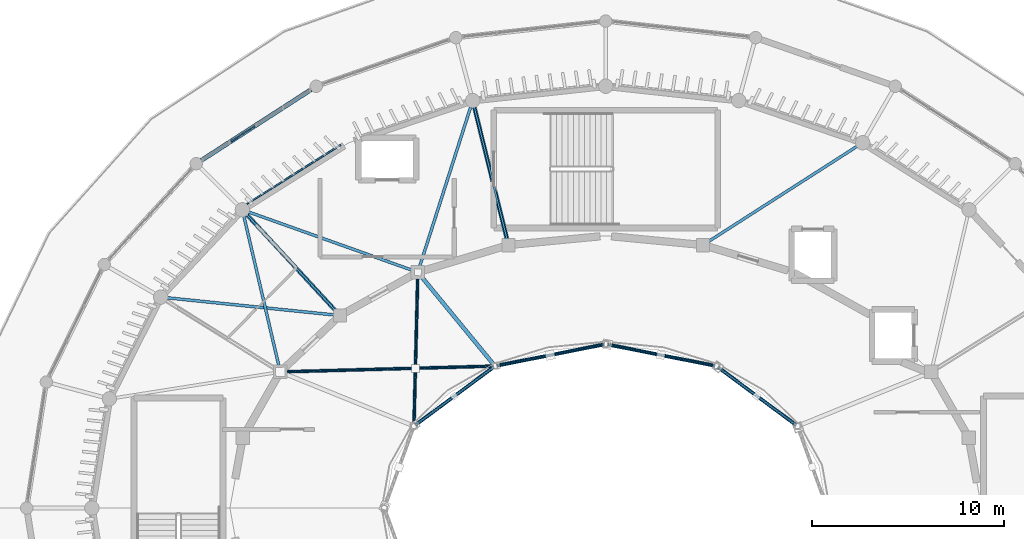
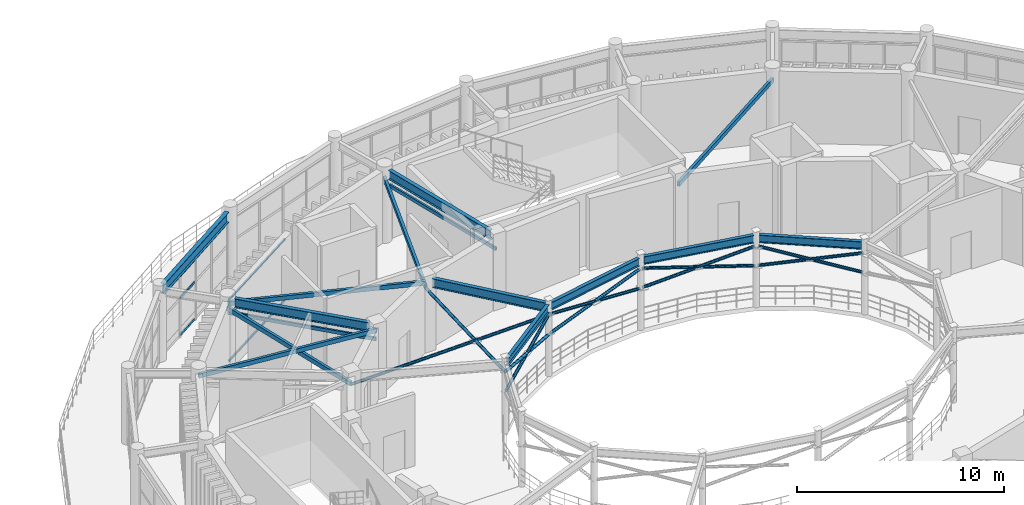
# One storey, part 12 of 45: 27 members, 8 beams, 1 element without a shape of its own.
"""IFC4 building model written with IfcOpenShell, lengths in metres."""

from ifc_helpers import new_model, si_unit, direction, frame, origin, origin_2d, place, context, subcontext, project, spatial, rectangle, hollow_rectangle, hollow_circle, i_section, extrude, material, material_profile, profile_set, type_object, element, aggregate, save


model = new_model("IFC4")

# Units and contexts
model_context = context("Model", 3, precision=1e-05, world=origin(), true_north=direction((0.0, 1.0)))
body_context = subcontext(model_context, "Body", "Model", "MODEL_VIEW")
ifc_project = project(units=[si_unit("LENGTHUNIT", "METRE"), si_unit("AREAUNIT", "SQUARE_METRE"), si_unit("VOLUMEUNIT", "CUBIC_METRE"), si_unit("PLANEANGLEUNIT", "RADIAN"), si_unit("MASSUNIT", "GRAM", prefix="KILO")], contexts=[model_context])

# Site, building, storey
site_placement = place(None, origin())
site = spatial("IfcSite", under=ifc_project, at=site_placement, CompositionType="ELEMENT")
building_placement = place(site_placement, origin())
building = spatial("IfcBuilding", under=site, at=building_placement, Name="Cinderbank Siding Concert Hall", CompositionType="ELEMENT")
storey_placement = place(building_placement, frame((0.0, 0.0, 19.199951171875)))
storey = spatial("IfcBuildingStorey", under=building, at=storey_placement, Name="L05", CompositionType="ELEMENT", Elevation=19.199951171875)

# Beams
ifc_material_1 = material(Name="Structural steel AS/NZS 3679.1 Grade 350 (340 MPa)", Category="steel")
ifc_material_profile_1 = material_profile(ifc_material_1, i_section(OverallWidth=0.18994140625, OverallDepth=0.45751953125, WebThickness=0.009033203125, FlangeThickness=0.014404296875, at=origin_2d()), Name="460UB74.6", Category="LoadBearing")
ifc_profile_set_1 = profile_set([ifc_material_profile_1], Name="Structural steel AS/NZS 3679.1 Grade 350 (340 MPa)")
beam_type_1 = type_object("IfcBeamType", Name="BM-UB460 460UB74.6", PredefinedType="BEAM", material=ifc_profile_set_1)
beam_1_placement = place(storey_placement, frame((131.87890625, 48.36669921875, 4.0234375), z_axis=(-0.803752781555, 0.594963415801, 0.0), x_axis=(-0.594963415801, -0.803752781555, 0.0)))
element("IfcBeam", 1, at=beam_1_placement, inside=storey, type_object=beam_type_1, Name="L05 Beam BM-UB460 #209", PredefinedType="BEAM", context=body_context, shape_type="SweptSolid", body=[
    extrude(i_section(OverallWidth=0.18994140625, OverallDepth=0.45751953125, WebThickness=0.009033203125, FlangeThickness=0.014404296875, at=origin_2d()), origin(), (0.0, 0.0, 1.0), 4.9521484375),
])
for number, where, z_axis, x_axis, name in (
    (2, (127.6240234375, 51.4345703125, 4.0234375), (-0.980895780778, 0.194533974545, 0.0), (-0.194533974545, -0.980895780778, 0.0), "L05 Beam BM-UB460 #211"),
    (3, (121.84912109375, 52.52001953125, 4.0234375), (-0.980895780778, -0.194533974545, 0.0), (0.194533974545, -0.980895780778, 0.0), "L05 Beam BM-UB460 #212"),
):
    element("IfcBeam", number, at=place(storey_placement, frame(where, z_axis=z_axis, x_axis=x_axis)), inside=storey, type_object=beam_type_1, Name=name, PredefinedType="BEAM", context=body_context, shape_type="SweptSolid", body=[
        extrude(i_section(OverallWidth=0.18994140625, OverallDepth=0.45751953125, WebThickness=0.009033203125, FlangeThickness=0.014404296875, at=origin_2d()), origin(), (0.0, 0.0, 1.0), 5.579833984375),
    ])
beam_2_placement = place(storey_placement, frame((116.101318359375, 51.31298828125, 4.0234375), z_axis=(-0.803752781555, -0.594963415801, 0.0), x_axis=(0.594963415801, -0.803752781555, 0.0)))
element("IfcBeam", 4, at=beam_2_placement, inside=storey, type_object=beam_type_1, Name="L05 Beam BM-UB460 #213", PredefinedType="BEAM", context=body_context, shape_type="SweptSolid", body=[
    extrude(i_section(OverallWidth=0.18994140625, OverallDepth=0.45751953125, WebThickness=0.009033203125, FlangeThickness=0.014404296875, at=origin_2d()), origin(), (0.0, 0.0, 1.0), 4.9521484375),
])
ifc_material_profile_2 = material_profile(ifc_material_1, i_section(OverallWidth=0.208984375, OverallDepth=0.5283203125, WebThickness=0.009521484375, FlangeThickness=0.01318359375, at=origin_2d()), Name="530UB82.0", Category="LoadBearing")
ifc_profile_set_2 = profile_set([ifc_material_profile_2], Name="Structural steel AS/NZS 3679.1 Grade 350 (340 MPa)")
beam_type_2 = type_object("IfcBeamType", Name="BM-UB530 530UB82.0", PredefinedType="BEAM", material=ifc_profile_set_2)
beam_3_placement = place(storey_placement, frame((116.127197265625, 51.5234375, 3.988037109375), z_axis=(-0.635282201884, 0.772280081298, 0.0), x_axis=(-0.772280081298, -0.635282201884, 0.0)))
element("IfcBeam", 5, at=beam_3_placement, inside=storey, type_object=beam_type_2, Name="L05 Beam BM-UB530 #214", PredefinedType="BEAM", context=body_context, shape_type="SweptSolid", body=[
    extrude(i_section(OverallWidth=0.208984375, OverallDepth=0.5283203125, WebThickness=0.009521484375, FlangeThickness=0.01318359375, at=origin_2d()), origin(), (0.0, 0.0, 1.0), 5.83984375),
])
ifc_material_profile_3 = material_profile(ifc_material_1, i_section(OverallWidth=0.208984375, OverallDepth=0.532958984375, WebThickness=0.01025390625, FlangeThickness=0.015625, at=origin_2d()), Name="530UB92.4", Category="LoadBearing")
ifc_profile_set_3 = profile_set([ifc_material_profile_3], Name="Structural steel AS/NZS 3679.1 Grade 350 (340 MPa)")
beam_type_3 = type_object("IfcBeamType", Name="BM-UB530H 530UB92.4", PredefinedType="BEAM", material=ifc_profile_set_3)
beam_4_placement = place(storey_placement, frame((116.844970703125, 58.048095703125, 4.015625), z_axis=(-0.240115631411, 0.970744293598, 0.0), x_axis=(-0.970744293598, -0.240115631411, 0.0)))
element("IfcBeam", 6, at=beam_4_placement, inside=storey, type_object=beam_type_3, Name="L05 Beam BM-UB530H #784", PredefinedType="BEAM", context=body_context, shape_type="SweptSolid", body=[
    extrude(i_section(OverallWidth=0.208984375, OverallDepth=0.532958984375, WebThickness=0.01025390625, FlangeThickness=0.015625, at=origin_2d()), origin(), (0.0, 0.0, 1.0), 7.05224609375),
])
beam_5_placement = place(storey_placement, frame((107.90869140625, 54.292236328125, 4.015625), z_axis=(-0.67829203735, 0.734792427879, 0.0), x_axis=(-0.734792427879, -0.67829203735, 0.0)))
element("IfcBeam", 7, at=beam_5_placement, inside=storey, type_object=beam_type_3, Name="L05 Beam BM-UB530H #785", PredefinedType="BEAM", context=body_context, shape_type="SweptSolid", body=[
    extrude(i_section(OverallWidth=0.208984375, OverallDepth=0.532958984375, WebThickness=0.01025390625, FlangeThickness=0.015625, at=origin_2d()), origin(), (0.0, 0.0, 1.0), 6.797119140625),
])
ifc_material_profile_4 = material_profile(ifc_material_1, i_section(OverallWidth=0.22802734375, OverallDepth=0.60693359375, WebThickness=0.01123046875, FlangeThickness=0.017333984375, at=origin_2d()), Name="610UB113", Category="LoadBearing")
ifc_profile_set_4 = profile_set([ifc_material_profile_4], Name="Structural steel AS/NZS 3679.1 Grade 350 (340 MPa)")
beam_type_4 = type_object("IfcBeamType", Name="BM-UB610M 610UB113", PredefinedType="BEAM", material=ifc_profile_set_4)
beam_6_placement = place(storey_placement, frame((106.6337890625, 65.8251953125, 3.928466796875), z_axis=(-0.840219727246, -0.542246078775, 0.0), x_axis=(0.542246078775, -0.840219727246, 0.0)))
element("IfcBeam", 8, at=beam_6_placement, inside=storey, type_object=beam_type_4, Name="L05 Beam BM-UB610M #767", PredefinedType="BEAM", context=body_context, shape_type="SweptSolid", body=[
    extrude(i_section(OverallWidth=0.22802734375, OverallDepth=0.60693359375, WebThickness=0.01123046875, FlangeThickness=0.017333984375, at=origin_2d()), origin(), (0.0, 0.0, 1.0), 6.810302734375),
])

# Members
ifc_material_2 = material(Name="Structural steel hollow section AS/NZS 1163 Grade C350L0 (350 MPa)", Category="steel")
ifc_material_profile_5 = material_profile(ifc_material_2, hollow_circle(Radius=0.084228515625, WallThickness=0.007080078125, at=origin_2d()), Name="168.3x7.1CHS", Category="LoadBearing")
ifc_profile_set_5 = profile_set([ifc_material_profile_5], Name="Structural steel hollow section AS/NZS 1163 Grade C350L0 (350 MPa)")
member_type_1 = type_object("IfcMemberType", Name="BR-CHS168 168.3x7.1CHS Roof Truss", PredefinedType="BRACE", material=ifc_profile_set_5)
member_1_placement = place(storey_placement, frame((131.938232421875, 48.322509765625, 2.400146484375), z_axis=(-0.784369910815, 0.580673871078, 0.218132295765), x_axis=(-0.595001989932, -0.803724226322, 0.0)))
element("IfcMember", 9, at=member_1_placement, inside=storey, type_object=member_type_1, Name="L05 Diagonal Brace BR-CHS168 #RKCR-BR-CHS168-L05-2126", PredefinedType="BRACE", context=body_context, shape_type="SweptSolid", body=[
    extrude(hollow_circle(Radius=0.084228515625, WallThickness=0.007080078125, at=origin_2d()), origin(), (0.0, 0.0, 1.0), 5.2255859375),
])
for number, where, z_axis, x_axis, name in (
    (10, (127.83935546875, 51.35693359375, 2.400146484375), (0.784352777564, -0.580699234671, 0.218126383504), (0.595027173666, 0.803705582038, 0.0), "L05 Diagonal Brace BR-CHS168 #RKCR-BR-CHS168-L05-2127"),
    (11, (129.900634765625, 49.8310546875, 2.973388671875), (0.784352777564, -0.580699234671, 0.218126383504), (0.595027173666, 0.803705582038, 0.0), "L05 Diagonal Brace BR-CHS168 #RKCR-BR-CHS168-L05-2127-S217"),
):
    element("IfcMember", number, at=place(storey_placement, frame(where, z_axis=z_axis, x_axis=x_axis)), inside=storey, type_object=member_type_1, Name=name, PredefinedType="BRACE", context=body_context, shape_type="SweptSolid", body=[
        extrude(hollow_circle(Radius=0.084228515625, WallThickness=0.007080078125, at=origin_2d()), origin(), (0.0, 0.0, 1.0), 2.597900390625),
    ])
member_2_placement = place(storey_placement, frame((127.696533203125, 51.420166015625, 2.400146484375), z_axis=(-0.962024071577, 0.190807781612, 0.195197531189), x_axis=(-0.194550158365, -0.980892571019, 0.0)))
element("IfcMember", 12, at=member_2_placement, inside=storey, type_object=member_type_1, Name="L05 Diagonal Brace BR-CHS168 #RKCR-BR-CHS168-L05-2128", PredefinedType="BRACE", context=body_context, shape_type="SweptSolid", body=[
    extrude(hollow_circle(Radius=0.084228515625, WallThickness=0.007080078125, at=origin_2d()), origin(), (0.0, 0.0, 1.0), 5.839599609375),
])
member_3_placement = place(storey_placement, frame((122.07861328125, 52.534423828125, 2.400146484375), z_axis=(0.962018451096, -0.1908740086, 0.195160479071), x_axis=(0.194616221116, 0.980879465826, 0.0)))
element("IfcMember", 13, at=member_3_placement, inside=storey, type_object=member_type_1, Name="L05 Diagonal Brace BR-CHS168 #RKCR-BR-CHS168-L05-2129", PredefinedType="BRACE", context=body_context, shape_type="SweptSolid", body=[
    extrude(hollow_circle(Radius=0.084228515625, WallThickness=0.007080078125, at=origin_2d()), origin(), (0.0, 0.0, 1.0), 2.90478515625),
])
member_4_placement = place(storey_placement, frame((124.90185546875, 51.974365234375, 2.972900390625), z_axis=(0.96202436034, -0.190774464748, 0.195228670313), x_axis=(0.194517417313, 0.980899064309, 0.0)))
element("IfcMember", 14, at=member_4_placement, inside=storey, type_object=member_type_1, Name="L05 Diagonal Brace BR-CHS168 #RKCR-BR-CHS168-L05-2129-S218", PredefinedType="BRACE", context=body_context, shape_type="SweptSolid", body=[
    extrude(hollow_circle(Radius=0.084228515625, WallThickness=0.007080078125, at=origin_2d()), origin(), (0.0, 0.0, 1.0), 2.905029296875),
])
member_5_placement = place(storey_placement, frame((121.92138671875, 52.534423828125, 2.400146484375), z_axis=(-0.962024071577, -0.190807781612, 0.195197531189), x_axis=(0.194550158365, -0.980892571019, 0.0)))
element("IfcMember", 15, at=member_5_placement, inside=storey, type_object=member_type_1, Name="L05 Diagonal Brace BR-CHS168 #RKCR-BR-CHS168-L05-2130", PredefinedType="BRACE", context=body_context, shape_type="SweptSolid", body=[
    extrude(hollow_circle(Radius=0.084228515625, WallThickness=0.007080078125, at=origin_2d()), origin(), (0.0, 0.0, 1.0), 5.839599609375),
])
member_6_placement = place(storey_placement, frame((116.303466796875, 51.420166015625, 2.400146484375), z_axis=(0.962040141585, 0.190777594252, 0.195147829891), x_axis=(-0.194517417313, 0.980899064309, 0.0)))
element("IfcMember", 16, at=member_6_placement, inside=storey, type_object=member_type_1, Name="L05 Diagonal Brace BR-CHS168 #RKCR-BR-CHS168-L05-2131", PredefinedType="BRACE", context=body_context, shape_type="SweptSolid", body=[
    extrude(hollow_circle(Radius=0.084228515625, WallThickness=0.007080078125, at=origin_2d()), origin(), (0.0, 0.0, 1.0), 2.905029296875),
])
member_7_placement = place(storey_placement, frame((119.126953125, 51.97998046875, 2.972900390625), z_axis=(0.962002668162, 0.190870877109, 0.195241324318), x_axis=(-0.194616221116, 0.980879465826, 0.0)))
element("IfcMember", 17, at=member_7_placement, inside=storey, type_object=member_type_1, Name="L05 Diagonal Brace BR-CHS168 #RKCR-BR-CHS168-L05-2131-S219", PredefinedType="BRACE", context=body_context, shape_type="SweptSolid", body=[
    extrude(hollow_circle(Radius=0.084228515625, WallThickness=0.007080078125, at=origin_2d()), origin(), (0.0, 0.0, 1.0), 2.90478515625),
])
member_8_placement = place(storey_placement, frame((116.16064453125, 51.35693359375, 2.400146484375), z_axis=(-0.784369910815, -0.580673871078, 0.218132295765), x_axis=(0.595001989932, -0.803724226322, 0.0)))
element("IfcMember", 18, at=member_8_placement, inside=storey, type_object=member_type_1, Name="L05 Diagonal Brace BR-CHS168 #RKCR-BR-CHS168-L05-2132", PredefinedType="BRACE", context=body_context, shape_type="SweptSolid", body=[
    extrude(hollow_circle(Radius=0.084228515625, WallThickness=0.007080078125, at=origin_2d()), origin(), (0.0, 0.0, 1.0), 5.2255859375),
])
for number, where, z_axis, x_axis, name in (
    (19, (112.061767578125, 48.322509765625, 2.400146484375), (0.784352777564, 0.580699234671, 0.218126383504), (-0.595027173666, 0.803705582038, 0.0), "L05 Diagonal Brace BR-CHS168 #RKCR-BR-CHS168-L05-2133"),
    (20, (114.123046875, 49.848388671875, 2.973388671875), (0.784352777564, 0.580699234671, 0.218126383504), (-0.595027173666, 0.803705582038, 0.0), "L05 Diagonal Brace BR-CHS168 #RKCR-BR-CHS168-L05-2133-S220"),
):
    element("IfcMember", number, at=place(storey_placement, frame(where, z_axis=z_axis, x_axis=x_axis)), inside=storey, type_object=member_type_1, Name=name, PredefinedType="BRACE", context=body_context, shape_type="SweptSolid", body=[
        extrude(hollow_circle(Radius=0.084228515625, WallThickness=0.007080078125, at=origin_2d()), origin(), (0.0, 0.0, 1.0), 2.597900390625),
    ])
member_9_placement = place(storey_placement, frame((116.22509765625, 51.404541015625, 3.5400390625), z_axis=(-0.999630710519, -0.02717430014, 0.0), x_axis=(0.02717430014, -0.999630710519, 0.0)))
element("IfcMember", 21, at=member_9_placement, inside=storey, type_object=member_type_1, Name="L05 Diagonal Brace BR-CHS168 #RKHN-BR-CHS168-L05-2134", PredefinedType="BRACE", context=body_context, shape_type="SweptSolid", body=[
    extrude(hollow_circle(Radius=0.084228515625, WallThickness=0.007080078125, at=origin_2d()), origin(), (0.0, 0.0, 1.0), 11.203369140625),
])
member_10_placement = place(storey_placement, frame((111.997314453125, 48.27490234375, 3.5400390625), z_axis=(0.025286746999, 0.99968023909, 0.0), x_axis=(-0.99968023909, 0.025286746999, 0.0)))
element("IfcMember", 22, at=member_10_placement, inside=storey, type_object=member_type_1, Name="L05 Diagonal Brace BR-CHS168 #RKHN-BR-CHS168-L05-2135", PredefinedType="BRACE", context=body_context, shape_type="SweptSolid", body=[
    extrude(hollow_circle(Radius=0.084228515625, WallThickness=0.007080078125, at=origin_2d()), origin(), (0.0, 0.0, 1.0), 3.002685546875),
])
member_11_placement = place(storey_placement, frame((112.073974609375, 51.306640625, 3.5400390625), z_axis=(0.02523287706, 0.999681600268, 0.0), x_axis=(-0.999681600268, 0.02523287706, 0.0)))
element("IfcMember", 23, at=member_11_placement, inside=storey, type_object=member_type_1, Name="L05 Diagonal Brace BR-CHS168 #RKHN-BR-CHS168-L05-2135-S221", PredefinedType="BRACE", context=body_context, shape_type="SweptSolid", body=[
    extrude(hollow_circle(Radius=0.084228515625, WallThickness=0.007080078125, at=origin_2d()), origin(), (0.0, 0.0, 1.0), 4.99267578125),
])

# Curtain wall, members
ifc_material_3 = material(Name="Anodised aluminium alloy 6063-T6", Category="aluminium")
curtain_wall_type = type_object("IfcCurtainWallType", Name="CW-09 Unitised Acoustic Curtain Wall 8000x3500", PredefinedType="NOTDEFINED", material=ifc_material_3)
curtain_wall_placement = place(storey_placement, origin())
curtain_wall = element("IfcCurtainWall", 24, at=curtain_wall_placement, inside=storey, type_object=curtain_wall_type, Name="L05 Curtain Wall CW-09 #79", PredefinedType="NOTDEFINED")
ifc_material_profile_6 = material_profile(ifc_material_3, rectangle(XDim=0.06494140625, YDim=0.14990234375, at=origin_2d()), Name="ALU-TRAN-65x150", Category="LoadBearing")
ifc_profile_set_6 = profile_set([ifc_material_profile_6], Name="Anodised aluminium alloy 6063-T6")
member_type_2 = type_object("IfcMemberType", Name="CW-TR2 Transom 65x150", PredefinedType="USERDEFINED", material=ifc_profile_set_6)
member_12_placement = place(storey_placement, frame((103.70263671875, 63.93359375, 0.06005859375), z_axis=(-0.840224854991, -0.542238133163, 0.0), x_axis=(0.542238133163, -0.840224854991, 0.0)))
member_12 = element("IfcMember", 25, at=member_12_placement, type_object=member_type_2, Name="CW-L05-079 Transom 2-0", ObjectType="TRANSOM", PredefinedType="USERDEFINED", context=body_context, shape_type="SweptSolid", body=[
    extrude(rectangle(XDim=0.06494140625, YDim=0.14990234375, at=origin_2d()), origin(), (0.0, 0.0, 1.0), 1.499267578125),
])
member_13_placement = place(storey_placement, frame((103.70263671875, 63.93359375, 2.23828125), z_axis=(-0.840224854991, -0.542238133163, 0.0), x_axis=(0.542238133163, -0.840224854991, 0.0)))
member_13 = element("IfcMember", 26, at=member_13_placement, type_object=member_type_2, Name="CW-L05-079 Transom 2-1", ObjectType="TRANSOM", PredefinedType="USERDEFINED", context=body_context, shape_type="SweptSolid", body=[
    extrude(rectangle(XDim=0.06494140625, YDim=0.14990234375, at=origin_2d()), origin(), (0.0, 0.0, 1.0), 1.499267578125),
])
member_14_placement = place(storey_placement, frame((103.70263671875, 63.93359375, 3.550048828125), z_axis=(-0.840224854991, -0.542238133163, 0.0), x_axis=(0.542238133163, -0.840224854991, 0.0)))
member_14 = element("IfcMember", 27, at=member_14_placement, type_object=member_type_2, Name="CW-L05-079 Transom 2-2", ObjectType="TRANSOM", PredefinedType="USERDEFINED", context=body_context, shape_type="SweptSolid", body=[
    extrude(rectangle(XDim=0.06494140625, YDim=0.14990234375, at=origin_2d()), origin(), (0.0, 0.0, 1.0), 1.499267578125),
])
aggregate(curtain_wall, [member_12, member_13, member_14])

# Members
ifc_material_profile_7 = material_profile(ifc_material_3, rectangle(XDim=0.080078125, YDim=0.10009765625, at=origin_2d()), Name="ALU-RAIL-80x100", Category="LoadBearing")
ifc_profile_set_7 = profile_set([ifc_material_profile_7], Name="Anodised aluminium alloy 6063-T6")
member_type_3 = type_object("IfcMemberType", Name="LV-RL1 Carrier Rail 80x100", PredefinedType="STUD", material=ifc_profile_set_7)
for number, where, z_axis, x_axis, name in (
    (28, (108.18115234375, 62.939697265625, 0.219970703125), (-0.84612066394, -0.532991390225, 0.0), (0.532991390225, -0.84612066394, 0.0), "L05 Louvre Carrier Rail 09 BOT"),
    (29, (108.18115234375, 62.939697265625, 3.820068359375), (-0.84612066394, -0.532991390225, 0.0), (0.532991390225, -0.84612066394, 0.0), "L05 Louvre Carrier Rail 09 TOP"),
):
    element("IfcMember", number, at=place(storey_placement, frame(where, z_axis=z_axis, x_axis=x_axis)), inside=storey, type_object=member_type_3, Name=name, PredefinedType="STUD", context=body_context, shape_type="SweptSolid", body=[
        extrude(rectangle(XDim=0.080078125, YDim=0.10009765625, at=origin_2d()), origin(), (0.0, 0.0, 1.0), 5.77978515625),
    ])
ifc_material_profile_8 = material_profile(ifc_material_2, hollow_rectangle(XDim=0.10009765625, YDim=0.199951171875, WallThickness=0.008056640625, at=origin_2d()), Name="200x100x8.0RHS", Category="LoadBearing")
ifc_profile_set_8 = profile_set([ifc_material_profile_8], Name="Structural steel hollow section AS/NZS 1163 Grade C350L0 (350 MPa)")
member_type_4 = type_object("IfcMemberType", Name="PR-RHS200 200x100x8.0RHS Roof Truss", PredefinedType="PURLIN", material=ifc_profile_set_8)
member_15_placement = place(storey_placement, frame((116.927001953125, 57.716064453125, 3.340087890625), z_axis=(-0.240070192761, 0.970755531814, 0.0), x_axis=(-0.970755531814, -0.240070192761, 0.0)))
element("IfcMember", 30, at=member_15_placement, inside=storey, type_object=member_type_4, Name="L05 Roof Truss Member PR-RHS200 #2304", PredefinedType="PURLIN", context=body_context, shape_type="SweptSolid", body=[
    extrude(hollow_rectangle(XDim=0.10009765625, YDim=0.199951171875, WallThickness=0.008056640625, at=origin_2d()), origin(), (0.0, 0.0, 1.0), 7.761474609375),
])
member_16_placement = place(storey_placement, frame((108.140625, 54.041015625, 3.340087890625), z_axis=(-0.678276049894, 0.734807185689, 0.0), x_axis=(-0.734807185689, -0.678276049894, 0.0)))
element("IfcMember", 31, at=member_16_placement, inside=storey, type_object=member_type_4, Name="L05 Roof Truss Member PR-RHS200 #2308", PredefinedType="PURLIN", context=body_context, shape_type="SweptSolid", body=[
    extrude(hollow_rectangle(XDim=0.10009765625, YDim=0.199951171875, WallThickness=0.008056640625, at=origin_2d()), origin(), (0.0, 0.0, 1.0), 7.505859375),
])
ifc_material_profile_9 = material_profile(ifc_material_2, hollow_rectangle(XDim=0.14990234375, YDim=0.25, WallThickness=0.009033203125, at=origin_2d()), Name="250x150x9.0RHS", Category="LoadBearing")
ifc_profile_set_9 = profile_set([ifc_material_profile_9], Name="Structural steel hollow section AS/NZS 1163 Grade C350L0 (350 MPa)")
member_type_5 = type_object("IfcMemberType", Name="TR-RHS250 250x150x9.0RHS Roof Truss", PredefinedType="RAFTER", material=ifc_profile_set_9)
member_17_placement = place(storey_placement, frame((127.072998046875, 57.716064453125, 3.60009765625), z_axis=(0.841940386591, 0.539570556487, 0.0), x_axis=(-0.539570556487, 0.841940386591, 0.0)))
element("IfcMember", 32, at=member_17_placement, inside=storey, type_object=member_type_5, Name="L05 Roof Truss Member TR-RHS250 #2302", PredefinedType="RAFTER", context=body_context, shape_type="SweptSolid", body=[
    extrude(hollow_rectangle(XDim=0.14990234375, YDim=0.25, WallThickness=0.009033203125, at=origin_2d()), origin(), (0.0, 0.0, 1.0), 9.89013671875),
])
member_18_placement = place(storey_placement, frame((112.199951171875, 56.297607421875, 3.60009765625), z_axis=(0.304664519425, 0.952459726499, 0.0), x_axis=(-0.952459726499, 0.304664519425, 0.0)))
element("IfcMember", 33, at=member_18_placement, inside=storey, type_object=member_type_5, Name="L05 Roof Truss Member TR-RHS250 #2303", PredefinedType="RAFTER", context=body_context, shape_type="SweptSolid", body=[
    extrude(hollow_rectangle(XDim=0.14990234375, YDim=0.25, WallThickness=0.009033203125, at=origin_2d()), origin(), (0.0, 0.0, 1.0), 9.399658203125),
])
member_19_placement = place(storey_placement, frame((112.199951171875, 56.297607421875, 3.880126953125), z_axis=(-0.942041785809, 0.335495564487, 0.0), x_axis=(-0.335495564487, -0.942041785809, 0.0)))
element("IfcMember", 34, at=member_19_placement, inside=storey, type_object=member_type_5, Name="L05 Roof Truss Member TR-RHS250 #2305", PredefinedType="RAFTER", context=body_context, shape_type="SweptSolid", body=[
    extrude(hollow_rectangle(XDim=0.14990234375, YDim=0.25, WallThickness=0.009033203125, at=origin_2d()), origin(), (0.0, 0.0, 1.0), 9.71337890625),
])
member_20_placement = place(storey_placement, frame((108.140625, 54.041015625, 3.880126953125), z_axis=(-0.994781438611, 0.102028865499, 0.0), x_axis=(-0.102028865499, -0.994781438611, 0.0)))
element("IfcMember", 35, at=member_20_placement, inside=storey, type_object=member_type_5, Name="L05 Roof Truss Member TR-RHS250 #2306", PredefinedType="RAFTER", context=body_context, shape_type="SweptSolid", body=[
    extrude(hollow_rectangle(XDim=0.14990234375, YDim=0.25, WallThickness=0.009033203125, at=origin_2d()), origin(), (0.0, 0.0, 1.0), 9.399169921875),
])
member_21_placement = place(storey_placement, frame((105.02587890625, 51.10009765625, 3.60009765625), z_axis=(-0.227577092084, 0.973760066525, 0.0), x_axis=(-0.973760066525, -0.227577092084, 0.0)))
element("IfcMember", 36, at=member_21_placement, inside=storey, type_object=member_type_5, Name="L05 Roof Truss Member TR-RHS250 #2307", PredefinedType="RAFTER", context=body_context, shape_type="SweptSolid", body=[
    extrude(hollow_rectangle(XDim=0.14990234375, YDim=0.25, WallThickness=0.009033203125, at=origin_2d()), origin(), (0.0, 0.0, 1.0), 8.68408203125),
])

save(model, "model.ifc")
